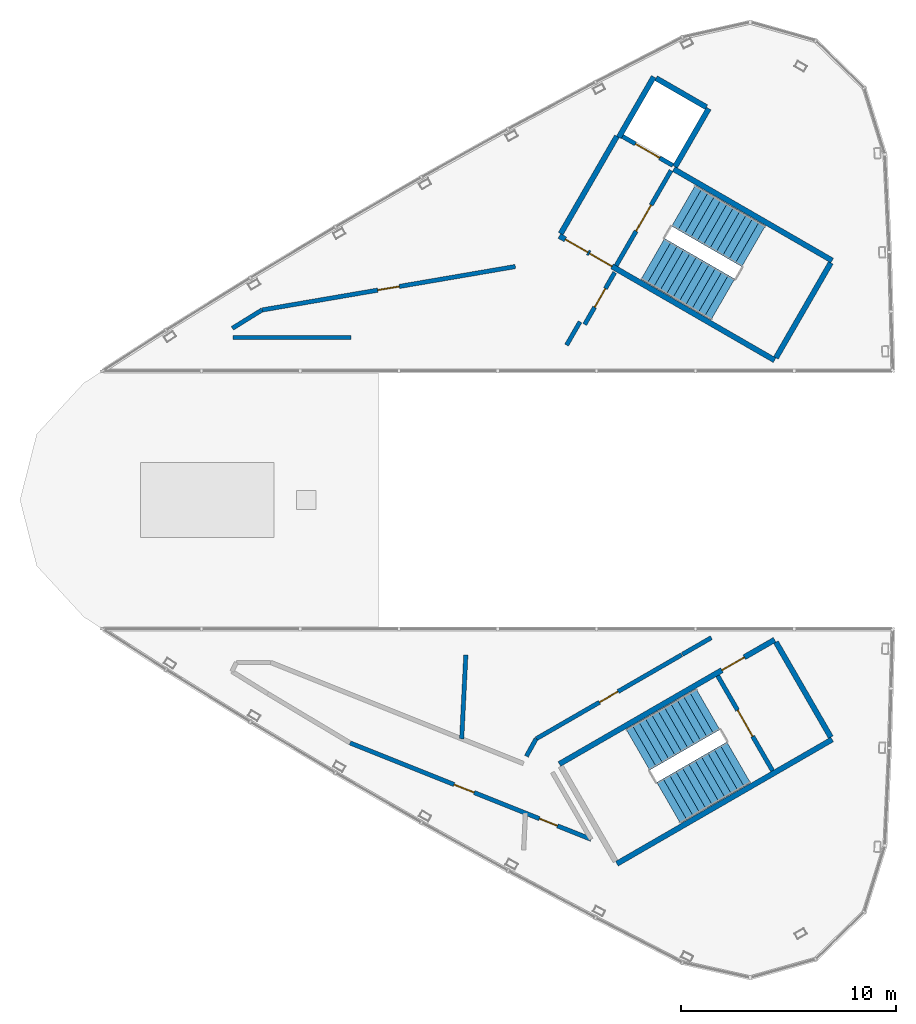
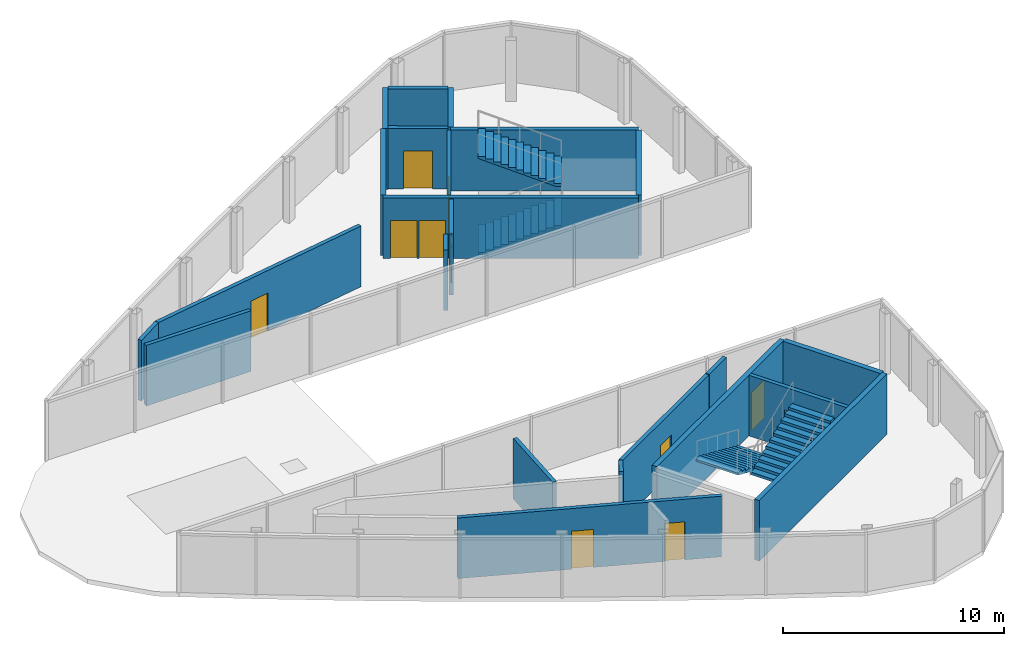
# One storey, part 5 of 6: 23 walls, 11 doors, 4 stair flights, 11 openings, 2 elements without a shape of their own.
"""IFC4 building model written with IfcOpenShell, lengths in metres."""

from ifc_helpers import new_model, si_unit, direction, frame, frame_2d, origin, place, context, subcontext, project, spatial, polyline, rectangle, outline, extrude, material, layer, layer_set, type_object, element, fill, aggregate, save


model = new_model("IFC4")

# Units and contexts
model_context = context("Model", 3, precision=1e-05, world=origin(), true_north=direction((0.0, 1.0)))
body_context = subcontext(model_context, "Body", "Model", "MODEL_VIEW")
ifc_project = project(units=[si_unit("LENGTHUNIT", "METRE"), si_unit("AREAUNIT", "SQUARE_METRE"), si_unit("VOLUMEUNIT", "CUBIC_METRE"), si_unit("PLANEANGLEUNIT", "RADIAN"), si_unit("MASSUNIT", "GRAM", prefix="KILO")], contexts=[model_context])

# Site, building, storey
site_placement = place(None, origin())
site = spatial("IfcSite", under=ifc_project, at=site_placement, CompositionType="ELEMENT")
building_placement = place(site_placement, origin())
building = spatial("IfcBuilding", under=site, at=building_placement, Name="Tamra Quay Hotel Tower", CompositionType="ELEMENT")
storey_placement = place(building_placement, frame((0.0, 0.0, 331.39990234375)))
storey = spatial("IfcBuildingStorey", under=building, at=storey_placement, Name="Roof crown 4", CompositionType="ELEMENT", Elevation=331.39990234375)

# Wall, opening, door
ifc_material_1 = material(Name="Concrete M70", Category="concrete")
ifc_layer_1 = layer(ifc_material_1, 0.199951171875)
ifc_layer_set_1 = layer_set([ifc_layer_1], Name="Concrete M70 core wall 200")
wall_type_1 = type_object("IfcWallType", Name="Concrete M70 core wall 200", PredefinedType="SHEAR", material=ifc_layer_set_1)
wall_1_placement = place(storey_placement, frame((3.056640625, 10.89453125, 0.0), z_axis=(0.0, 0.0, 1.0), x_axis=(0.499991534382, 0.866030291356, 0.0)))
wall_1 = element("IfcWall", 1, at=wall_1_placement, inside=storey, type_object=wall_type_1, Name="CW2", PredefinedType="SHEAR", context=body_context, shape_type="SweptSolid", body=[
    extrude(rectangle(XDim=5.10498046875, YDim=0.199951171875, at=frame_2d((2.552490234375, 0.0))), origin(), (0.0, 0.0, 1.0), 3.35009765625),
])
opening_1_placement = place(wall_1_placement, frame((1.84912109375, 0.0, 0.0)))
opening_1 = element("IfcOpeningElement", 2, at=opening_1_placement, cuts=wall_1, Name="Opening FD2", PredefinedType="OPENING", context=body_context, shape_type="SweptSolid", body=[
    extrude(rectangle(XDim=1.39990234375, YDim=2.10009765625, at=frame_2d((0.699951171875, 1.050048828125))), frame((0.0, 0.10986328125, 0.0), z_axis=(0.0, -1.0, 0.0), x_axis=(1.0, 0.0, 0.0)), (0.0, 0.0, 1.0), 0.219970703125),
])
ifc_material_2 = material(Name="Core door FD2 1400x2100 LH")
door_type_1 = type_object("IfcDoorType", Name="Core door FD2 1400x2100 LH", OperationType="NOTDEFINED", PredefinedType="DOOR", material=ifc_material_2)
door_1_placement = place(opening_1_placement, origin())
door_1 = element("IfcDoor", 3, at=door_1_placement, inside=storey, type_object=door_type_1, Name="FD2", OperationType="SINGLE_SWING_LEFT", OverallHeight=2.10009765625, OverallWidth=1.39990234375, PredefinedType="DOOR", context=body_context, shape_type="SweptSolid", body=[
    extrude(rectangle(XDim=1.39990234375, YDim=2.10009765625, at=frame_2d((0.699951171875, 1.050048828125))), frame((0.0, 0.02490234375, 0.0), z_axis=(0.0, -1.0, 0.0), x_axis=(1.0, 0.0, 0.0)), (0.0, 0.0, 1.0), 0.050048828125),
])
fill(opening_1, door_1)

wall_2_placement = place(storey_placement, frame((5.68798828125, 15.5517578125, 0.0), z_axis=(0.0, 0.0, 1.0), x_axis=(-0.866007835605, 0.500030427744, 0.0)))
wall_2 = element("IfcWall", 4, at=wall_2_placement, inside=storey, type_object=wall_type_1, Name="CW2", PredefinedType="SHEAR", context=body_context, shape_type="SweptSolid", body=[
    extrude(rectangle(XDim=2.698974609375, YDim=0.199951171875, at=frame_2d((1.349609375, 0.0))), origin(), (0.0, 0.0, 1.0), 3.35009765625),
])
opening_2_placement = place(wall_2_placement, frame((0.699951171875, 0.0, 0.0)))
opening_2 = element("IfcOpeningElement", 5, at=opening_2_placement, cuts=wall_2, Name="Opening LD", PredefinedType="OPENING", context=body_context, shape_type="SweptSolid", body=[
    extrude(rectangle(XDim=1.300048828125, YDim=2.10009765625, at=frame_2d((0.64990234375, 1.050048828125))), frame((0.0, 0.10986328125, 0.0), z_axis=(0.0, -1.0, 0.0), x_axis=(1.0, 0.0, 0.0)), (0.0, 0.0, 1.0), 0.219970703125),
])
ifc_material_3 = material(Name="Landing door LD 1300 sliding to right")
door_type_2 = type_object("IfcDoorType", Name="Landing door LD 1300 sliding to right", OperationType="NOTDEFINED", PredefinedType="DOOR", material=ifc_material_3)
door_2_placement = place(opening_2_placement, origin())
door_2 = element("IfcDoor", 6, at=door_2_placement, inside=storey, type_object=door_type_2, Name="LD", OperationType="SLIDING_TO_RIGHT", OverallHeight=2.10009765625, OverallWidth=1.300048828125, PredefinedType="DOOR", context=body_context, shape_type="SweptSolid", body=[
    extrude(rectangle(XDim=1.300048828125, YDim=2.10009765625, at=frame_2d((0.64990234375, 1.050048828125))), frame((0.0, 0.02490234375, 0.0), z_axis=(0.0, -1.0, 0.0), x_axis=(1.0, 0.0, 0.0)), (0.0, 0.0, 1.0), 0.050048828125),
])
fill(opening_2, door_2)

wall_3_placement = place(storey_placement, frame((7.776611328125, -8.16943359375, 0.0), z_axis=(0.0, 0.0, 1.0), x_axis=(0.500007101845, -0.866021303493, 0.0)))
wall_3 = element("IfcWall", 7, at=wall_3_placement, inside=storey, type_object=wall_type_1, Name="CW2", PredefinedType="SHEAR", context=body_context, shape_type="SweptSolid", body=[
    extrude(rectangle(XDim=5.09814453125, YDim=0.199951171875, at=frame_2d((2.549072265625, 0.0))), origin(), (0.0, 0.0, 1.0), 3.35009765625),
])
opening_3_placement = place(wall_3_placement, frame((1.84912109375, 0.0, 0.0)))
opening_3 = element("IfcOpeningElement", 8, at=opening_3_placement, cuts=wall_3, Name="Opening FD2", PredefinedType="OPENING", context=body_context, shape_type="SweptSolid", body=[
    extrude(rectangle(XDim=1.39990234375, YDim=2.10009765625, at=frame_2d((0.699951171875, 1.050048828125))), frame((0.0, 0.10986328125, 0.0), z_axis=(0.0, -1.0, 0.0), x_axis=(1.0, 0.0, 0.0)), (0.0, 0.0, 1.0), 0.219970703125),
])
door_3_placement = place(opening_3_placement, origin())
door_3 = element("IfcDoor", 9, at=door_3_placement, inside=storey, type_object=door_type_1, Name="FD2", OperationType="SINGLE_SWING_LEFT", OverallHeight=2.10009765625, OverallWidth=1.39990234375, PredefinedType="DOOR", context=body_context, shape_type="SweptSolid", body=[
    extrude(rectangle(XDim=1.39990234375, YDim=2.10009765625, at=frame_2d((0.699951171875, 1.050048828125))), frame((0.0, 0.02490234375, 0.0), z_axis=(0.0, -1.0, 0.0), x_axis=(1.0, 0.0, 0.0)), (0.0, 0.0, 1.0), 0.050048828125),
])
fill(opening_3, door_3)

# Wall, openings, doors
ifc_layer_2 = layer(ifc_material_1, 0.25)
ifc_layer_set_2 = layer_set([ifc_layer_2], Name="Concrete M70 core wall 250")
wall_type_2 = type_object("IfcWallType", Name="Concrete M70 core wall 250", PredefinedType="SHEAR", material=ifc_layer_set_2)
wall_4_placement = place(storey_placement, frame((10.419921875, 6.497802734375, 0.0), z_axis=(0.0, 0.0, 1.0), x_axis=(-0.866021906294, 0.500006057782, 0.0)))
wall_4 = element("IfcWall", 10, at=wall_4_placement, inside=storey, type_object=wall_type_2, Name="CW1", PredefinedType="SHEAR", context=body_context, shape_type="SweptSolid", body=[
    extrude(rectangle(XDim=11.550048828125, YDim=0.25, at=frame_2d((5.77490234375, 0.0))), origin(), (0.0, 0.0, 1.0), 3.35009765625),
])
opening_4_placement = place(wall_4_placement, frame((10.02490234375, 0.0, 0.0)))
opening_4 = element("IfcOpeningElement", 11, at=opening_4_placement, cuts=wall_4, Name="Opening FD1", PredefinedType="OPENING", context=body_context, shape_type="SweptSolid", body=[
    extrude(rectangle(XDim=1.199951171875, YDim=2.10009765625, at=frame_2d((0.60009765625, 1.050048828125))), frame((0.0, 0.135009765625, 0.0), z_axis=(0.0, -1.0, 0.0), x_axis=(1.0, 0.0, 0.0)), (0.0, 0.0, 1.0), 0.27001953125),
])
opening_5_placement = place(wall_4_placement, frame((8.724853515625, 0.0, 0.0)))
opening_5 = element("IfcOpeningElement", 12, at=opening_5_placement, cuts=wall_4, Name="Opening FD1", PredefinedType="OPENING", context=body_context, shape_type="SweptSolid", body=[
    extrude(rectangle(XDim=1.199951171875, YDim=2.10009765625, at=frame_2d((0.60009765625, 1.050048828125))), frame((0.0, 0.135009765625, 0.0), z_axis=(0.0, -1.0, 0.0), x_axis=(1.0, 0.0, 0.0)), (0.0, 0.0, 1.0), 0.27001953125),
])
ifc_material_4 = material(Name="Core door FD1 1200x2100 LH")
door_type_3 = type_object("IfcDoorType", Name="Core door FD1 1200x2100 LH", OperationType="NOTDEFINED", PredefinedType="DOOR", material=ifc_material_4)
door_4_placement = place(opening_4_placement, origin())
door_4 = element("IfcDoor", 13, at=door_4_placement, inside=storey, type_object=door_type_3, Name="FD1", OperationType="SINGLE_SWING_LEFT", OverallHeight=2.10009765625, OverallWidth=1.199951171875, PredefinedType="DOOR", context=body_context, shape_type="SweptSolid", body=[
    extrude(rectangle(XDim=1.199951171875, YDim=2.10009765625, at=frame_2d((0.60009765625, 1.050048828125))), frame((0.0, 0.02490234375, 0.0), z_axis=(0.0, -1.0, 0.0), x_axis=(1.0, 0.0, 0.0)), (0.0, 0.0, 1.0), 0.050048828125),
])
fill(opening_4, door_4)
ifc_material_5 = material(Name="Core door FD1 1200x2100 RH")
door_type_4 = type_object("IfcDoorType", Name="Core door FD1 1200x2100 RH", OperationType="NOTDEFINED", PredefinedType="DOOR", material=ifc_material_5)
door_5_placement = place(opening_5_placement, origin())
door_5 = element("IfcDoor", 14, at=door_5_placement, inside=storey, type_object=door_type_4, Name="FD1", OperationType="SINGLE_SWING_RIGHT", OverallHeight=2.10009765625, OverallWidth=1.199951171875, PredefinedType="DOOR", context=body_context, shape_type="SweptSolid", body=[
    extrude(rectangle(XDim=1.199951171875, YDim=2.10009765625, at=frame_2d((0.60009765625, 1.050048828125))), frame((0.0, 0.02490234375, 0.0), z_axis=(0.0, -1.0, 0.0), x_axis=(1.0, 0.0, 0.0)), (0.0, 0.0, 1.0), 0.050048828125),
])
fill(opening_5, door_5)

# Walls
wall_5_placement = place(storey_placement, frame((5.733642578125, 15.381103515625, 0.0), z_axis=(0.0, 0.0, 1.0), x_axis=(0.866028703517, -0.499994284652, 0.0)))
element("IfcWall", 15, at=wall_5_placement, inside=storey, type_object=wall_type_2, Name="CW1", PredefinedType="SHEAR", context=body_context, shape_type="SweptSolid", body=[
    extrude(rectangle(XDim=8.5, YDim=0.25, at=frame_2d((4.25, 0.0))), origin(), (0.0, 0.0, 1.0), 3.35009765625),
])
wall_6_placement = place(storey_placement, frame((0.47998046875, 12.38134765625, 0.0), z_axis=(0.0, 0.0, 1.0), x_axis=(0.49999885962, 0.866026062182, 0.0)))
element("IfcWall", 16, at=wall_6_placement, inside=storey, type_object=wall_type_2, Name="CW1", PredefinedType="SHEAR", context=body_context, shape_type="SweptSolid", body=[
    extrude(rectangle(XDim=5.224609375, YDim=0.25, at=frame_2d((2.6123046875, 0.0))), origin(), (0.0, 0.0, 1.0), 3.35009765625),
])
wall_7_placement = place(storey_placement, frame((13.0322265625, 11.0224609375, 0.0), z_axis=(0.0, 0.0, 1.0), x_axis=(-0.499995990076, -0.866027718903, 0.0)))
element("IfcWall", 17, at=wall_7_placement, inside=storey, type_object=wall_type_2, Name="CW1", PredefinedType="SHEAR", context=body_context, shape_type="SweptSolid", body=[
    extrude(rectangle(XDim=5.09912109375, YDim=0.25, at=frame_2d((2.549560546875, 0.0))), origin(), (0.0, 0.0, 1.0), 3.35009765625),
])
wall_8_placement = place(storey_placement, frame((7.358642578125, 18.19580078125, 0.0), z_axis=(0.0, 0.0, 1.0), x_axis=(-0.4999794672, -0.866037258078, 0.0)))
element("IfcWall", 18, at=wall_8_placement, inside=storey, type_object=wall_type_2, Name="CW1", PredefinedType="SHEAR", context=body_context, shape_type="SweptSolid", body=[
    extrude(rectangle(XDim=3.124755859375, YDim=0.25, at=frame_2d((1.5625, 0.0))), origin(), (0.0, 0.0, 1.0), 3.35009765625),
])
wall_9_placement = place(storey_placement, frame((3.178955078125, 16.856201171875, 0.0), z_axis=(0.0, 0.0, 1.0), x_axis=(0.500017246033, 0.866015446554, 0.0)))
element("IfcWall", 19, at=wall_9_placement, inside=storey, type_object=wall_type_2, Name="CW1", PredefinedType="SHEAR", context=body_context, shape_type="SweptSolid", body=[
    extrude(rectangle(XDim=3.25, YDim=0.25, at=frame_2d((1.625, 0.0))), origin(), (0.0, 0.0, 1.0), 3.35009765625),
])
wall_10_placement = place(storey_placement, frame((4.91259765625, 19.60791015625, 0.0), z_axis=(0.0, 0.0, 1.0), x_axis=(0.866030449233, -0.499991260925, 0.0)))
element("IfcWall", 20, at=wall_10_placement, inside=storey, type_object=wall_type_2, Name="CW1", PredefinedType="SHEAR", context=body_context, shape_type="SweptSolid", body=[
    extrude(rectangle(XDim=2.69921875, YDim=0.25, at=frame_2d((1.349609375, 0.0))), origin(), (0.0, 0.0, 1.0), 3.35009765625),
])

# Wall, opening, door
wall_11_placement = place(storey_placement, frame((0.417236328125, -12.27294921875, 0.0), z_axis=(0.0, 0.0, 1.0), x_axis=(0.866021906294, 0.500006057782, 0.0)))
wall_11 = element("IfcWall", 21, at=wall_11_placement, inside=storey, type_object=wall_type_2, Name="CW1", PredefinedType="SHEAR", context=body_context, shape_type="SweptSolid", body=[
    extrude(rectangle(XDim=11.550048828125, YDim=0.25, at=frame_2d((5.77490234375, 0.0))), origin(), (0.0, 0.0, 1.0), 3.35009765625),
])
opening_6_placement = place(wall_11_placement, frame((8.725341796875, 0.0, 0.0)))
opening_6 = element("IfcOpeningElement", 22, at=opening_6_placement, cuts=wall_11, Name="Opening FD1", PredefinedType="OPENING", context=body_context, shape_type="SweptSolid", body=[
    extrude(rectangle(XDim=1.199951171875, YDim=2.10009765625, at=frame_2d((0.60009765625, 1.050048828125))), frame((0.0, 0.135009765625, 0.0), z_axis=(0.0, -1.0, 0.0), x_axis=(1.0, 0.0, 0.0)), (0.0, 0.0, 1.0), 0.27001953125),
])
door_6_placement = place(opening_6_placement, origin())
door_6 = element("IfcDoor", 23, at=door_6_placement, inside=storey, type_object=door_type_3, Name="FD1", OperationType="SINGLE_SWING_LEFT", OverallHeight=2.10009765625, OverallWidth=1.199951171875, PredefinedType="DOOR", context=body_context, shape_type="SweptSolid", body=[
    extrude(rectangle(XDim=1.199951171875, YDim=2.10009765625, at=frame_2d((0.60009765625, 1.050048828125))), frame((0.0, 0.02490234375, 0.0), z_axis=(0.0, -1.0, 0.0), x_axis=(1.0, 0.0, 0.0)), (0.0, 0.0, 1.0), 0.050048828125),
])
fill(opening_6, door_6)

# Walls
wall_12_placement = place(storey_placement, frame((13.094970703125, -11.131103515625, 0.0), z_axis=(0.0, 0.0, 1.0), x_axis=(-0.866031059098, -0.499990204581, 0.0)))
element("IfcWall", 24, at=wall_12_placement, inside=storey, type_object=wall_type_2, Name="CW1", PredefinedType="SHEAR", context=body_context, shape_type="SweptSolid", body=[
    extrude(rectangle(XDim=11.550048828125, YDim=0.25, at=frame_2d((5.77490234375, 0.0))), origin(), (0.0, 0.0, 1.0), 3.35009765625),
])
wall_13_placement = place(storey_placement, frame((10.482666015625, -6.6064453125, 0.0), z_axis=(0.0, 0.0, 1.0), x_axis=(0.499995990076, -0.866027718903, 0.0)))
element("IfcWall", 25, at=wall_13_placement, inside=storey, type_object=wall_type_2, Name="CW1", PredefinedType="SHEAR", context=body_context, shape_type="SweptSolid", body=[
    extrude(rectangle(XDim=5.09912109375, YDim=0.25, at=frame_2d((2.549560546875, 0.0))), origin(), (0.0, 0.0, 1.0), 3.35009765625),
])
ifc_material_6 = material(Name="Partition corridor wall")
ifc_layer_3 = layer(ifc_material_6, 0.199951171875)
ifc_layer_set_3 = layer_set([ifc_layer_3], Name="Partition corridor wall")
wall_type_3 = type_object("IfcWallType", Name="Partition corridor wall", PredefinedType="PARTITIONING", material=ifc_layer_set_3)
wall_14_placement = place(storey_placement, frame((-14.781982421875, 7.98095703125, 0.0), z_axis=(0.0, 0.0, 1.0), x_axis=(0.850065227576, 0.526677423918, 0.0)))
element("IfcWall", 26, at=wall_14_placement, inside=storey, type_object=wall_type_3, Name="W-C", PredefinedType="PARTITIONING", context=body_context, shape_type="SweptSolid", body=[
    extrude(rectangle(XDim=1.614013671875, YDim=0.199951171875, at=frame_2d((0.80712890625, 0.0))), origin(), (0.0, 0.0, 1.0), 3.35009765625),
])
wall_15_placement = place(storey_placement, frame((-14.7451171875, 7.549072265625, 0.0), z_axis=(0.0, 0.0, 1.0), x_axis=(1.0, 0.0, 0.0)))
element("IfcWall", 27, at=wall_15_placement, inside=storey, type_object=wall_type_3, Name="W-C", PredefinedType="PARTITIONING", context=body_context, shape_type="SweptSolid", body=[
    extrude(rectangle(XDim=5.480224609375, YDim=0.199951171875, at=frame_2d((2.740234375, 0.0))), origin(), (0.0, 0.0, 1.0), 3.35009765625),
])

# Wall, opening, door
wall_16_placement = place(storey_placement, frame((-13.409912109375, 8.8310546875, 0.0), z_axis=(0.0, 0.0, 1.0), x_axis=(0.985602811447, 0.169077195589, 0.0)))
wall_16 = element("IfcWall", 28, at=wall_16_placement, inside=storey, type_object=wall_type_3, Name="W-C", PredefinedType="PARTITIONING", context=body_context, shape_type="SweptSolid", body=[
    extrude(rectangle(XDim=11.953125, YDim=0.199951171875, at=frame_2d((5.9765625, 0.0))), origin(), (0.0, 0.0, 1.0), 3.35009765625),
])
opening_7_placement = place(wall_16_placement, frame((5.470458984375, 0.0, 0.0)))
opening_7 = element("IfcOpeningElement", 29, at=opening_7_placement, cuts=wall_16, Name="Opening Roof crown 4-D001", PredefinedType="OPENING", context=body_context, shape_type="SweptSolid", body=[
    extrude(rectangle(XDim=1.0, YDim=2.10009765625, at=frame_2d((0.5, 1.050048828125))), frame((0.0, 0.10986328125, 0.0), z_axis=(0.0, -1.0, 0.0), x_axis=(1.0, 0.0, 0.0)), (0.0, 0.0, 1.0), 0.219970703125),
])
ifc_material_7 = material(Name="Door service room 1000x2100")
door_type_5 = type_object("IfcDoorType", Name="Door service room 1000x2100", OperationType="NOTDEFINED", PredefinedType="DOOR", material=ifc_material_7)
door_7_placement = place(opening_7_placement, origin())
door_7 = element("IfcDoor", 30, at=door_7_placement, inside=storey, type_object=door_type_5, Name="Roof crown 4-D001", OperationType="SINGLE_SWING_LEFT", OverallHeight=2.10009765625, OverallWidth=1.0, PredefinedType="DOOR", context=body_context, shape_type="SweptSolid", body=[
    extrude(rectangle(XDim=1.0, YDim=2.10009765625, at=frame_2d((0.5, 1.050048828125))), frame((0.0, 0.02490234375, 0.0), z_axis=(0.0, -1.0, 0.0), x_axis=(1.0, 0.0, 0.0)), (0.0, 0.0, 1.0), 0.050048828125),
])
fill(opening_7, door_7)

# Wall, openings, doors
wall_17_placement = place(storey_placement, frame((-9.3125, -11.29150390625, 0.0), z_axis=(0.0, 0.0, 1.0), x_axis=(0.928518552107, -0.371286006191, 0.0)))
wall_17 = element("IfcWall", 31, at=wall_17_placement, inside=storey, type_object=wall_type_3, Name="W-C", PredefinedType="PARTITIONING", context=body_context, shape_type="SweptSolid", body=[
    extrude(rectangle(XDim=12.064697265625, YDim=0.199951171875, at=frame_2d((6.0322265625, 0.0))), origin(), (0.0, 0.0, 1.0), 3.35009765625),
])
opening_8_placement = place(wall_17_placement, frame((9.48095703125, 0.0, 0.0)))
opening_8 = element("IfcOpeningElement", 32, at=opening_8_placement, cuts=wall_17, Name="Opening Roof crown 4-D003", PredefinedType="OPENING", context=body_context, shape_type="SweptSolid", body=[
    extrude(rectangle(XDim=0.89990234375, YDim=2.10009765625, at=frame_2d((0.449951171875, 1.050048828125))), frame((0.0, 0.10986328125, 0.0), z_axis=(0.0, -1.0, 0.0), x_axis=(1.0, 0.0, 0.0)), (0.0, 0.0, 1.0), 0.219970703125),
])
opening_9_placement = place(wall_17_placement, frame((5.207275390625, 0.0, 0.0)))
opening_9 = element("IfcOpeningElement", 33, at=opening_9_placement, cuts=wall_17, Name="Opening Roof crown 4-D005", PredefinedType="OPENING", context=body_context, shape_type="SweptSolid", body=[
    extrude(rectangle(XDim=1.0, YDim=2.10009765625, at=frame_2d((0.5, 1.050048828125))), frame((0.0, 0.10986328125, 0.0), z_axis=(0.0, -1.0, 0.0), x_axis=(1.0, 0.0, 0.0)), (0.0, 0.0, 1.0), 0.219970703125),
])
door_8_placement = place(opening_9_placement, frame((1.0, 0.0, 0.0), z_axis=(0.0, 0.0, 1.0), x_axis=(-1.0, 0.0, 0.0)))
door_8 = element("IfcDoor", 34, at=door_8_placement, inside=storey, type_object=door_type_5, Name="Roof crown 4-D005", OperationType="SINGLE_SWING_LEFT", OverallHeight=2.10009765625, OverallWidth=1.0, PredefinedType="DOOR", context=body_context, shape_type="SweptSolid", body=[
    extrude(rectangle(XDim=1.0, YDim=2.10009765625, at=frame_2d((0.5, 1.050048828125))), frame((0.0, 0.02490234375, 0.0), z_axis=(0.0, -1.0, 0.0), x_axis=(1.0, 0.0, 0.0)), (0.0, 0.0, 1.0), 0.050048828125),
])
fill(opening_9, door_8)
ifc_material_8 = material(Name="Door service room 900x2100")
door_type_6 = type_object("IfcDoorType", Name="Door service room 900x2100", OperationType="NOTDEFINED", PredefinedType="DOOR", material=ifc_material_8)
door_9_placement = place(opening_8_placement, frame((0.89990234375, 0.0, 0.0), z_axis=(0.0, 0.0, 1.0), x_axis=(-1.0, 0.0, 0.0)))
door_9 = element("IfcDoor", 35, at=door_9_placement, inside=storey, type_object=door_type_6, Name="Roof crown 4-D003", OperationType="SINGLE_SWING_LEFT", OverallHeight=2.10009765625, OverallWidth=0.89990234375, PredefinedType="DOOR", context=body_context, shape_type="SweptSolid", body=[
    extrude(rectangle(XDim=0.89990234375, YDim=2.10009765625, at=frame_2d((0.449951171875, 1.050048828125))), frame((0.0, 0.02490234375, 0.0), z_axis=(0.0, -1.0, 0.0), x_axis=(1.0, 0.0, 0.0)), (0.0, 0.0, 1.0), 0.050048828125),
])
fill(opening_8, door_9)

# Wall
wall_18_placement = place(storey_placement, frame((-1.115966796875, -11.909912109375, 0.0), z_axis=(0.0, 0.0, 1.0), x_axis=(0.488193721835, 0.872735292033, 0.0)))
element("IfcWall", 36, at=wall_18_placement, inside=storey, type_object=wall_type_3, Name="W-C", PredefinedType="PARTITIONING", context=body_context, shape_type="SweptSolid", body=[
    extrude(rectangle(XDim=0.92578125, YDim=0.199951171875, at=frame_2d((0.462890625, 0.0))), origin(), (0.0, 0.0, 1.0), 3.35009765625),
])

# Wall, opening, door
wall_19_placement = place(storey_placement, frame((-0.6640625, -11.10205078125, 0.0), z_axis=(0.0, 0.0, 1.0), x_axis=(0.866039839502, 0.499974995771, 0.0)))
wall_19 = element("IfcWall", 37, at=wall_19_placement, inside=storey, type_object=wall_type_3, Name="W-C", PredefinedType="PARTITIONING", context=body_context, shape_type="SweptSolid", body=[
    extrude(rectangle(XDim=7.810546875, YDim=0.199951171875, at=frame_2d((3.9052734375, 0.0))), origin(), (0.0, 0.0, 1.0), 3.35009765625),
])
opening_10_placement = place(wall_19_placement, frame((3.3994140625, 0.0, 0.0)))
opening_10 = element("IfcOpeningElement", 38, at=opening_10_placement, cuts=wall_19, Name="Opening Roof crown 4-D004", PredefinedType="OPENING", context=body_context, shape_type="SweptSolid", body=[
    extrude(rectangle(XDim=1.0, YDim=2.10009765625, at=frame_2d((0.5, 1.050048828125))), frame((0.0, 0.10986328125, 0.0), z_axis=(0.0, -1.0, 0.0), x_axis=(1.0, 0.0, 0.0)), (0.0, 0.0, 1.0), 0.219970703125),
])
door_10_placement = place(opening_10_placement, origin())
door_10 = element("IfcDoor", 39, at=door_10_placement, inside=storey, type_object=door_type_5, Name="Roof crown 4-D004", OperationType="SINGLE_SWING_LEFT", OverallHeight=2.10009765625, OverallWidth=1.0, PredefinedType="DOOR", context=body_context, shape_type="SweptSolid", body=[
    extrude(rectangle(XDim=1.0, YDim=2.10009765625, at=frame_2d((0.5, 1.050048828125))), frame((0.0, 0.02490234375, 0.0), z_axis=(0.0, -1.0, 0.0), x_axis=(1.0, 0.0, 0.0)), (0.0, 0.0, 1.0), 0.050048828125),
])
fill(opening_10, door_10)

# Wall
wall_20_placement = place(storey_placement, frame((0.751953125, 7.199951171875, 0.0), z_axis=(0.0, 0.0, 1.0), x_axis=(0.499835134068, 0.866120568253, 0.0)))
element("IfcWall", 40, at=wall_20_placement, inside=storey, type_object=wall_type_3, Name="W-C", PredefinedType="PARTITIONING", context=body_context, shape_type="SweptSolid", body=[
    extrude(rectangle(XDim=1.25048828125, YDim=0.199951171875, at=frame_2d((0.625244140625, 0.0))), origin(), (0.0, 0.0, 1.0), 3.35009765625),
])

# Wall, opening, door
wall_21_placement = place(storey_placement, frame((1.593017578125, 8.158935546875, 0.0), z_axis=(0.0, 0.0, 1.0), x_axis=(0.500035555316, 0.86600487494, 0.0)))
wall_21 = element("IfcWall", 41, at=wall_21_placement, inside=storey, type_object=wall_type_3, Name="W-C", PredefinedType="PARTITIONING", context=body_context, shape_type="SweptSolid", body=[
    extrude(rectangle(XDim=2.789794921875, YDim=0.199951171875, at=frame_2d((1.39501953125, 0.0))), origin(), (0.0, 0.0, 1.0), 3.35009765625),
])
opening_11_placement = place(wall_21_placement, frame((0.9248046875, 0.0, 0.0)))
opening_11 = element("IfcOpeningElement", 42, at=opening_11_placement, cuts=wall_21, Name="Opening Roof crown 4-D002", PredefinedType="OPENING", context=body_context, shape_type="SweptSolid", body=[
    extrude(rectangle(XDim=1.0, YDim=2.10009765625, at=frame_2d((0.5, 1.050048828125))), frame((0.0, 0.10986328125, 0.0), z_axis=(0.0, -1.0, 0.0), x_axis=(1.0, 0.0, 0.0)), (0.0, 0.0, 1.0), 0.219970703125),
])
door_11_placement = place(opening_11_placement, frame((1.0, 0.0, 0.0), z_axis=(0.0, 0.0, 1.0), x_axis=(-1.0, 0.0, 0.0)))
door_11 = element("IfcDoor", 43, at=door_11_placement, inside=storey, type_object=door_type_5, Name="Roof crown 4-D002", OperationType="SINGLE_SWING_LEFT", OverallHeight=2.10009765625, OverallWidth=1.0, PredefinedType="DOOR", context=body_context, shape_type="SweptSolid", body=[
    extrude(rectangle(XDim=1.0, YDim=2.10009765625, at=frame_2d((0.5, 1.050048828125))), frame((0.0, 0.02490234375, 0.0), z_axis=(0.0, -1.0, 0.0), x_axis=(1.0, 0.0, 0.0)), (0.0, 0.0, 1.0), 0.050048828125),
])
fill(opening_11, door_11)

# Walls
wall_22_placement = place(storey_placement, frame((6.133056640625, -7.177978515625, 0.0), z_axis=(0.0, 0.0, 1.0), x_axis=(0.866031301401, 0.499989784889, 0.0)))
element("IfcWall", 44, at=wall_22_placement, inside=storey, type_object=wall_type_3, Name="W-C", PredefinedType="PARTITIONING", context=body_context, shape_type="SweptSolid", body=[
    extrude(rectangle(XDim=1.5546875, YDim=0.199951171875, at=frame_2d((0.77734375, 0.0))), origin(), (0.0, 0.0, 1.0), 3.35009765625),
])
ifc_material_9 = material(Name="Partition party wall")
ifc_layer_4 = layer(ifc_material_9, 0.199951171875)
ifc_layer_set_4 = layer_set([ifc_layer_4], Name="Partition party wall")
wall_type_4 = type_object("IfcWallType", Name="Partition party wall", PredefinedType="PARTITIONING", material=ifc_layer_set_4)
wall_23_placement = place(storey_placement, frame((-4.1220703125, -11.09912109375, 0.0), z_axis=(0.0, 0.0, 1.0), x_axis=(0.048967546792, 0.998800370125, 0.0)))
element("IfcWall", 45, at=wall_23_placement, inside=storey, type_object=wall_type_4, Name="W-P", PredefinedType="PARTITIONING", context=body_context, shape_type="SweptSolid", body=[
    extrude(rectangle(XDim=3.90380859375, YDim=0.199951171875, at=frame_2d((1.951904296875, 0.0))), origin(), (0.0, 0.0, 1.0), 3.35009765625),
])

# Stair, stair flights
ifc_material_10 = material(Name="Exit stair 2200 24 risers 150.0 going 342")
stair_type = type_object("IfcStairType", Name="Exit stair 2200 24 risers 150.0 going 342", PredefinedType="HALF_TURN_STAIR", material=ifc_material_10)
stair_1_placement = place(storey_placement, origin())
stair_1 = element("IfcStair", 46, at=stair_1_placement, inside=storey, type_object=stair_type, Name="Roof crown 4 Exit stair ST1", PredefinedType="HALF_TURN_STAIR")
ifc_material_11 = material(Name="Exit stair flight 2200 12 risers 150.0")
stair_flight_type = type_object("IfcStairFlightType", Name="Exit stair flight 2200 12 risers 150.0", PredefinedType="STRAIGHT", material=ifc_material_11)
stair_flight_1_placement = place(storey_placement, frame((4.75927734375, 11.20361328125, 0.0), z_axis=(0.0, 0.0, 1.0), x_axis=(0.866025403784, -0.5, 0.0)))
stair_flight_1 = element("IfcStairFlight", 47, at=stair_flight_1_placement, type_object=stair_flight_type, Name="ST1 flight 1", NumberOfRisers=12, NumberOfTreads=11, PredefinedType="STRAIGHT", RiserHeight=0.15, TreadLength=0.342, context=body_context, shape_type="SweptSolid", body=[
    extrude(outline(polyline([(0.0, 0.0), (0.0, 0.14990234375), (0.342041015625, 0.14990234375), (0.342041015625, 0.300048828125), (0.68408203125, 0.300048828125), (0.68408203125, 0.449951171875), (1.02587890625, 0.449951171875), (1.02587890625, 0.60009765625), (1.367919921875, 0.60009765625), (1.367919921875, 0.75), (1.7099609375, 0.75), (1.7099609375, 0.89990234375), (2.052001953125, 0.89990234375), (2.052001953125, 1.050048828125), (2.39404296875, 1.050048828125), (2.39404296875, 1.199951171875), (2.736083984375, 1.199951171875), (2.736083984375, 1.35009765625), (3.077880859375, 1.35009765625), (3.077880859375, 1.5), (3.419921875, 1.5), (3.419921875, 1.64990234375), (3.761962890625, 1.64990234375), (3.761962890625, 1.800048828125), (3.761962890625, 1.540771484375), (0.249267578125, 0.0), (0.0, 0.0)])), frame((0.0, 1.10009765625, 0.0), z_axis=(0.0, -1.0, 0.0), x_axis=(1.0, 0.0, 0.0)), (0.0, 0.0, 1.0), 2.199951171875),
])
stair_flight_2_placement = place(storey_placement, frame((9.44677734375, 11.798583984375, 1.800048828125), z_axis=(0.0, 0.0, 1.0), x_axis=(-0.866025403784, 0.5, 0.0)))
stair_flight_2 = element("IfcStairFlight", 48, at=stair_flight_2_placement, type_object=stair_flight_type, Name="ST1 flight 2", NumberOfRisers=12, NumberOfTreads=11, PredefinedType="STRAIGHT", RiserHeight=0.15, TreadLength=0.342, context=body_context, shape_type="SweptSolid", body=[
    extrude(outline(polyline([(0.0, 0.0), (0.0, 0.14990234375), (0.342041015625, 0.14990234375), (0.342041015625, 0.300048828125), (0.68408203125, 0.300048828125), (0.68408203125, 0.449951171875), (1.02587890625, 0.449951171875), (1.02587890625, 0.60009765625), (1.367919921875, 0.60009765625), (1.367919921875, 0.75), (1.7099609375, 0.75), (1.7099609375, 0.89990234375), (2.052001953125, 0.89990234375), (2.052001953125, 1.050048828125), (2.39404296875, 1.050048828125), (2.39404296875, 1.199951171875), (2.736083984375, 1.199951171875), (2.736083984375, 1.35009765625), (3.077880859375, 1.35009765625), (3.077880859375, 1.5), (3.419921875, 1.5), (3.419921875, 1.64990234375), (3.761962890625, 1.64990234375), (3.761962890625, 1.800048828125), (3.761962890625, 1.540771484375), (0.249267578125, 0.0), (0.0, 0.0)])), frame((0.0, 1.10009765625, 0.0), z_axis=(0.0, -1.0, 0.0), x_axis=(1.0, 0.0, 0.0)), (0.0, 0.0, 1.0), 2.199951171875),
])
aggregate(stair_1, [stair_flight_1, stair_flight_2])

stair_2_placement = place(storey_placement, origin())
stair_2 = element("IfcStair", 49, at=stair_2_placement, inside=storey, type_object=stair_type, Name="Roof crown 4 Exit stair ST2", PredefinedType="HALF_TURN_STAIR")
stair_flight_3_placement = place(storey_placement, frame((7.322998046875, -9.7236328125, 0.0), z_axis=(0.0, 0.0, 1.0), x_axis=(-0.866025403784, -0.5, 0.0)))
stair_flight_3 = element("IfcStairFlight", 50, at=stair_flight_3_placement, type_object=stair_flight_type, Name="ST2 flight 1", NumberOfRisers=12, NumberOfTreads=11, PredefinedType="STRAIGHT", RiserHeight=0.15, TreadLength=0.342, context=body_context, shape_type="SweptSolid", body=[
    extrude(outline(polyline([(0.0, 0.0), (0.0, 0.14990234375), (0.342041015625, 0.14990234375), (0.342041015625, 0.300048828125), (0.68408203125, 0.300048828125), (0.68408203125, 0.449951171875), (1.02587890625, 0.449951171875), (1.02587890625, 0.60009765625), (1.367919921875, 0.60009765625), (1.367919921875, 0.75), (1.7099609375, 0.75), (1.7099609375, 0.89990234375), (2.052001953125, 0.89990234375), (2.052001953125, 1.050048828125), (2.39404296875, 1.050048828125), (2.39404296875, 1.199951171875), (2.736083984375, 1.199951171875), (2.736083984375, 1.35009765625), (3.077880859375, 1.35009765625), (3.077880859375, 1.5), (3.419921875, 1.5), (3.419921875, 1.64990234375), (3.761962890625, 1.64990234375), (3.761962890625, 1.800048828125), (3.761962890625, 1.540771484375), (0.249267578125, 0.0), (0.0, 0.0)])), frame((0.0, 1.10009765625, 0.0), z_axis=(0.0, -1.0, 0.0), x_axis=(1.0, 0.0, 0.0)), (0.0, 0.0, 1.0), 2.199951171875),
])
stair_flight_4_placement = place(storey_placement, frame((5.494384765625, -14.08056640625, 1.800048828125), z_axis=(0.0, 0.0, 1.0), x_axis=(0.866025403784, 0.5, 0.0)))
stair_flight_4 = element("IfcStairFlight", 51, at=stair_flight_4_placement, type_object=stair_flight_type, Name="ST2 flight 2", NumberOfRisers=12, NumberOfTreads=11, PredefinedType="STRAIGHT", RiserHeight=0.15, TreadLength=0.342, context=body_context, shape_type="SweptSolid", body=[
    extrude(outline(polyline([(0.0, 0.0), (0.0, 0.14990234375), (0.342041015625, 0.14990234375), (0.342041015625, 0.300048828125), (0.68408203125, 0.300048828125), (0.68408203125, 0.449951171875), (1.02587890625, 0.449951171875), (1.02587890625, 0.60009765625), (1.367919921875, 0.60009765625), (1.367919921875, 0.75), (1.7099609375, 0.75), (1.7099609375, 0.89990234375), (2.052001953125, 0.89990234375), (2.052001953125, 1.050048828125), (2.39404296875, 1.050048828125), (2.39404296875, 1.199951171875), (2.736083984375, 1.199951171875), (2.736083984375, 1.35009765625), (3.077880859375, 1.35009765625), (3.077880859375, 1.5), (3.419921875, 1.5), (3.419921875, 1.64990234375), (3.761962890625, 1.64990234375), (3.761962890625, 1.800048828125), (3.761962890625, 1.540771484375), (0.249267578125, 0.0), (0.0, 0.0)])), frame((0.0, 1.10009765625, 0.0), z_axis=(0.0, -1.0, 0.0), x_axis=(1.0, 0.0, 0.0)), (0.0, 0.0, 1.0), 2.199951171875),
])
aggregate(stair_2, [stair_flight_3, stair_flight_4])

save(model, "model.ifc")
